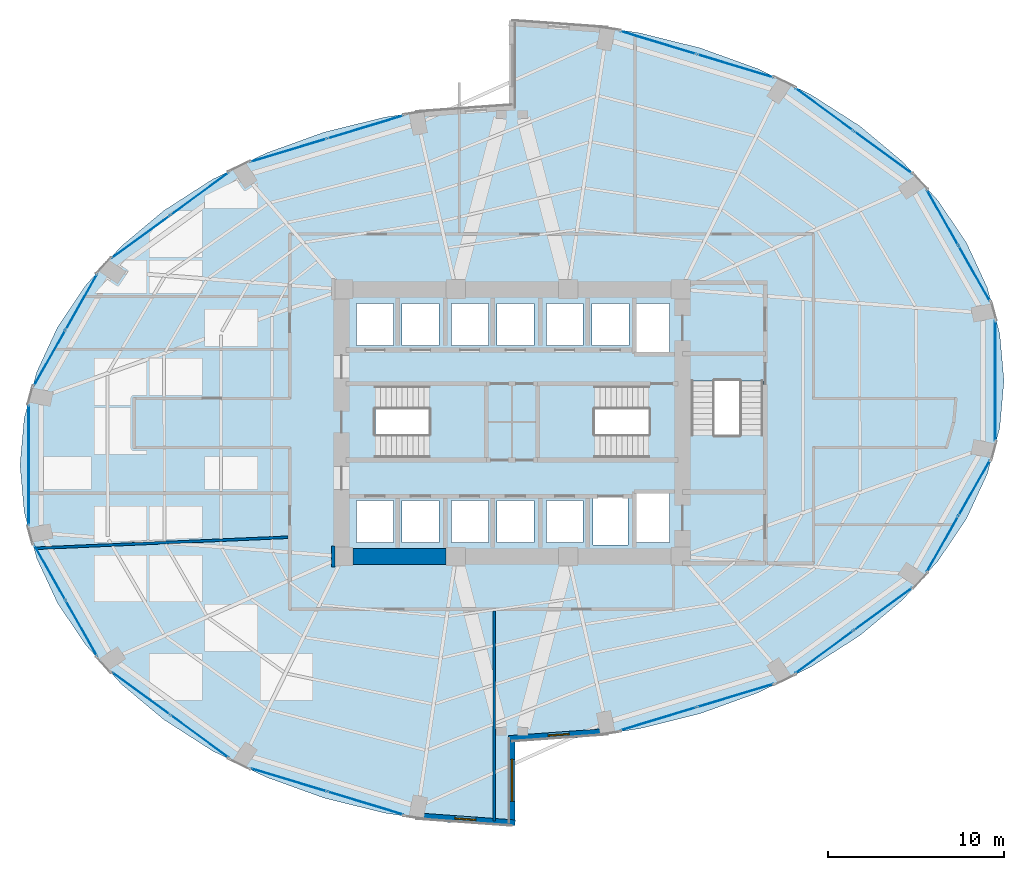
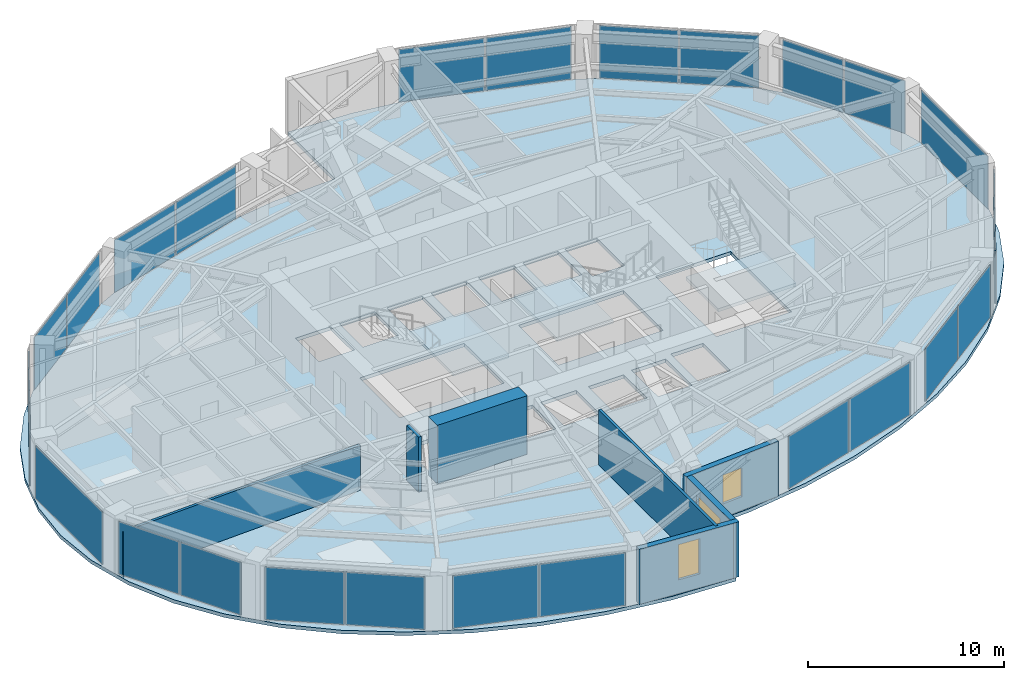
# One storey, part 19 of 24: 26 plates, 7 walls, 4 slabs, 3 windows, 3 openings, 17 elements without a shape of their own.
"""IFC4 building model written with IfcOpenShell, lengths in metres."""

from ifc_helpers import new_model, si_unit, direction, frame, frame_2d, origin, origin_2d, place, context, subcontext, project, spatial, polyline, rectangle, outline, extrude, material, layer, layer_set, type_object, element, fill, aggregate, save


model = new_model("IFC4")

# Units and contexts
model_context = context("Model", 3, precision=1e-05, world=origin(), true_north=direction((0.0, 1.0)))
body_context = subcontext(model_context, "Body", "Model", "MODEL_VIEW")
ifc_project = project(units=[si_unit("LENGTHUNIT", "METRE"), si_unit("AREAUNIT", "SQUARE_METRE"), si_unit("VOLUMEUNIT", "CUBIC_METRE"), si_unit("PLANEANGLEUNIT", "RADIAN"), si_unit("MASSUNIT", "GRAM", prefix="KILO")], contexts=[model_context])

# Site, building, storey
site_placement = place(None, origin())
site = spatial("IfcSite", under=ifc_project, at=site_placement, CompositionType="ELEMENT")
building_placement = place(site_placement, origin())
building = spatial("IfcBuilding", under=site, at=building_placement, Name="Lazwardi Medical Tower", CompositionType="ELEMENT")
storey_placement = place(building_placement, frame((0.0, 0.0, 39.7919921875)))
storey = spatial("IfcBuildingStorey", under=building, at=storey_placement, Name="L09", CompositionType="ELEMENT", Elevation=39.7919921875)

# Curtain wall, plates
ifc_material_1 = material(Name="Anodised bronze aluminium and solar control glazing", Category="aluminium")
ifc_layer_1 = layer(ifc_material_1, 0.199951171875)
ifc_layer_set_1 = layer_set([ifc_layer_1], Name="Anodised bronze aluminium and solar control glazing")
curtain_wall_type = type_object("IfcCurtainWallType", Name="CW-SYS-02", PredefinedType="NOTDEFINED", material=ifc_layer_set_1)
curtain_wall_1_placement = place(storey_placement, origin())
curtain_wall_1 = element("IfcCurtainWall", 1, at=curtain_wall_1_placement, inside=storey, type_object=curtain_wall_type, Name="L09 Unitised bronze curtain wall CW-02", PredefinedType="NOTDEFINED")
ifc_material_2 = material(Name="Low-e bronze solar control double glazing", Category="glass")
ifc_layer_2 = layer(ifc_material_2, 0.035888671875)
ifc_layer_set_2 = layer_set([ifc_layer_2], Name="Low-e bronze solar control double glazing")
plate_type = type_object("IfcPlateType", Name="PLT-GLZ-01", PredefinedType="CURTAIN_PANEL", material=ifc_layer_set_2)
plate_1_placement = place(storey_placement, frame((44.335693359375, 11.158935546875, 0.0751953125), z_axis=(0.0, 0.0, 1.0), x_axis=(0.957058247129, 0.2898956909, 0.0)))
plate_1 = element("IfcPlate", 2, at=plate_1_placement, type_object=plate_type, Name="CW-02 panel 1.1", PredefinedType="CURTAIN_PANEL", context=body_context, shape_type="SweptSolid", body=[
    extrude(rectangle(XDim=4.49658203125, YDim=0.035888671875, at=origin_2d()), origin(), (0.0, 0.0, 1.0), 3.278076171875),
])
plate_2_placement = place(storey_placement, frame((48.7109375, 12.484130859375, 0.0751953125), z_axis=(0.0, 0.0, 1.0), x_axis=(0.957058247129, 0.2898956909, 0.0)))
plate_2 = element("IfcPlate", 3, at=plate_2_placement, type_object=plate_type, Name="CW-02 panel 2.1", PredefinedType="CURTAIN_PANEL", context=body_context, shape_type="SweptSolid", body=[
    extrude(rectangle(XDim=4.49658203125, YDim=0.035888671875, at=origin_2d()), origin(), (0.0, 0.0, 1.0), 3.278076171875),
])
aggregate(curtain_wall_1, [plate_1, plate_2])

curtain_wall_2_placement = place(storey_placement, origin())
curtain_wall_2 = element("IfcCurtainWall", 4, at=curtain_wall_2_placement, inside=storey, type_object=curtain_wall_type, Name="L09 Unitised bronze curtain wall CW-02", PredefinedType="NOTDEFINED")
plate_3_placement = place(storey_placement, frame((53.771484375, 14.957275390625, 0.0751953125), z_axis=(0.0, 0.0, 1.0), x_axis=(0.807191757663, 0.590289307341, 0.0)))
plate_3 = element("IfcPlate", 5, at=plate_3_placement, type_object=plate_type, Name="CW-02 panel 1.1", PredefinedType="CURTAIN_PANEL", context=body_context, shape_type="SweptSolid", body=[
    extrude(rectangle(XDim=4.070068359375, YDim=0.035888671875, at=origin_2d()), origin(), (0.0, 0.0, 1.0), 3.278076171875),
])
plate_4_placement = place(storey_placement, frame((57.117431640625, 17.404052734375, 0.0751953125), z_axis=(0.0, 0.0, 1.0), x_axis=(0.807191757663, 0.590289307341, 0.0)))
plate_4 = element("IfcPlate", 6, at=plate_4_placement, type_object=plate_type, Name="CW-02 panel 2.1", PredefinedType="CURTAIN_PANEL", context=body_context, shape_type="SweptSolid", body=[
    extrude(rectangle(XDim=4.070068359375, YDim=0.035888671875, at=origin_2d()), origin(), (0.0, 0.0, 1.0), 3.278076171875),
])
aggregate(curtain_wall_2, [plate_3, plate_4])

curtain_wall_3_placement = place(storey_placement, origin())
curtain_wall_3 = element("IfcCurtainWall", 7, at=curtain_wall_3_placement, inside=storey, type_object=curtain_wall_type, Name="L09 Unitised bronze curtain wall CW-02", PredefinedType="NOTDEFINED")
plate_5_placement = place(storey_placement, frame((60.5009765625, 21.10791015625, 0.0751953125), z_axis=(0.0, 0.0, 1.0), x_axis=(0.492854327303, 0.870111838823, 0.0)))
plate_5 = element("IfcPlate", 8, at=plate_5_placement, type_object=plate_type, Name="CW-02 panel 1.1", PredefinedType="CURTAIN_PANEL", context=body_context, shape_type="SweptSolid", body=[
    extrude(rectangle(XDim=3.5947265625, YDim=0.035888671875, at=origin_2d()), origin(), (0.0, 0.0, 1.0), 3.278076171875),
])
plate_6_placement = place(storey_placement, frame((62.3095703125, 24.301025390625, 0.0751953125), z_axis=(0.0, 0.0, 1.0), x_axis=(0.492854327303, 0.870111838823, 0.0)))
plate_6 = element("IfcPlate", 9, at=plate_6_placement, type_object=plate_type, Name="CW-02 panel 2.1", PredefinedType="CURTAIN_PANEL", context=body_context, shape_type="SweptSolid", body=[
    extrude(rectangle(XDim=3.5947265625, YDim=0.035888671875, at=origin_2d()), origin(), (0.0, 0.0, 1.0), 3.278076171875),
])
aggregate(curtain_wall_3, [plate_5, plate_6])

# Curtain wall, plate
curtain_wall_4_placement = place(storey_placement, origin())
curtain_wall_4 = element("IfcCurtainWall", 10, at=curtain_wall_4_placement, inside=storey, type_object=curtain_wall_type, Name="L09 Unitised bronze curtain wall CW-02", PredefinedType="NOTDEFINED")
plate_7_placement = place(storey_placement, frame((63.49853515625, 30.39990234375, 0.0751953125), z_axis=(0.0, 0.0, 1.0), x_axis=(0.0, 1.0, 0.0)))
plate_7 = element("IfcPlate", 11, at=plate_7_placement, type_object=plate_type, Name="CW-02 panel 1.1", PredefinedType="CURTAIN_PANEL", context=body_context, shape_type="SweptSolid", body=[
    extrude(rectangle(XDim=6.8330078125, YDim=0.035888671875, at=origin_2d()), origin(), (0.0, 0.0, 1.0), 3.278076171875),
])
aggregate(curtain_wall_4, [plate_7])

# Curtain wall, plates
curtain_wall_5_placement = place(storey_placement, origin())
curtain_wall_5 = element("IfcCurtainWall", 12, at=curtain_wall_5_placement, inside=storey, type_object=curtain_wall_type, Name="L09 Unitised bronze curtain wall CW-02", PredefinedType="NOTDEFINED")
plate_8_placement = place(storey_placement, frame((62.3095703125, 36.498779296875, 0.0751953125), z_axis=(0.0, 0.0, 1.0), x_axis=(-0.492854327303, 0.870111838823, 0.0)))
plate_8 = element("IfcPlate", 13, at=plate_8_placement, type_object=plate_type, Name="CW-02 panel 1.1", PredefinedType="CURTAIN_PANEL", context=body_context, shape_type="SweptSolid", body=[
    extrude(rectangle(XDim=3.5947265625, YDim=0.035888671875, at=origin_2d()), origin(), (0.0, 0.0, 1.0), 3.278076171875),
])
plate_9_placement = place(storey_placement, frame((60.5009765625, 39.69189453125, 0.0751953125), z_axis=(0.0, 0.0, 1.0), x_axis=(-0.492854327303, 0.870111838823, 0.0)))
plate_9 = element("IfcPlate", 14, at=plate_9_placement, type_object=plate_type, Name="CW-02 panel 2.1", PredefinedType="CURTAIN_PANEL", context=body_context, shape_type="SweptSolid", body=[
    extrude(rectangle(XDim=3.5947265625, YDim=0.035888671875, at=origin_2d()), origin(), (0.0, 0.0, 1.0), 3.278076171875),
])
aggregate(curtain_wall_5, [plate_8, plate_9])

curtain_wall_6_placement = place(storey_placement, origin())
curtain_wall_6 = element("IfcCurtainWall", 15, at=curtain_wall_6_placement, inside=storey, type_object=curtain_wall_type, Name="L09 Unitised bronze curtain wall CW-02", PredefinedType="NOTDEFINED")
plate_10_placement = place(storey_placement, frame((57.117431640625, 43.39599609375, 0.0751953125), z_axis=(0.0, 0.0, 1.0), x_axis=(-0.807191757663, 0.590289307341, 0.0)))
plate_10 = element("IfcPlate", 16, at=plate_10_placement, type_object=plate_type, Name="CW-02 panel 1.1", PredefinedType="CURTAIN_PANEL", context=body_context, shape_type="SweptSolid", body=[
    extrude(rectangle(XDim=4.070068359375, YDim=0.035888671875, at=origin_2d()), origin(), (0.0, 0.0, 1.0), 3.278076171875),
])
plate_11_placement = place(storey_placement, frame((53.771484375, 45.8427734375, 0.0751953125), z_axis=(0.0, 0.0, 1.0), x_axis=(-0.807191757663, 0.590289307341, 0.0)))
plate_11 = element("IfcPlate", 17, at=plate_11_placement, type_object=plate_type, Name="CW-02 panel 2.1", PredefinedType="CURTAIN_PANEL", context=body_context, shape_type="SweptSolid", body=[
    extrude(rectangle(XDim=4.070068359375, YDim=0.035888671875, at=origin_2d()), origin(), (0.0, 0.0, 1.0), 3.278076171875),
])
aggregate(curtain_wall_6, [plate_10, plate_11])

curtain_wall_7_placement = place(storey_placement, origin())
curtain_wall_7 = element("IfcCurtainWall", 18, at=curtain_wall_7_placement, inside=storey, type_object=curtain_wall_type, Name="L09 Unitised bronze curtain wall CW-02", PredefinedType="NOTDEFINED")
plate_12_placement = place(storey_placement, frame((48.7109375, 48.31591796875, 0.0751953125), z_axis=(0.0, 0.0, 1.0), x_axis=(-0.957058247129, 0.2898956909, 0.0)))
plate_12 = element("IfcPlate", 19, at=plate_12_placement, type_object=plate_type, Name="CW-02 panel 1.1", PredefinedType="CURTAIN_PANEL", context=body_context, shape_type="SweptSolid", body=[
    extrude(rectangle(XDim=4.49658203125, YDim=0.035888671875, at=origin_2d()), origin(), (0.0, 0.0, 1.0), 3.278076171875),
])
plate_13_placement = place(storey_placement, frame((44.335693359375, 49.64111328125, 0.0751953125), z_axis=(0.0, 0.0, 1.0), x_axis=(-0.957058247129, 0.2898956909, 0.0)))
plate_13 = element("IfcPlate", 20, at=plate_13_placement, type_object=plate_type, Name="CW-02 panel 2.1", PredefinedType="CURTAIN_PANEL", context=body_context, shape_type="SweptSolid", body=[
    extrude(rectangle(XDim=4.49658203125, YDim=0.035888671875, at=origin_2d()), origin(), (0.0, 0.0, 1.0), 3.278076171875),
])
aggregate(curtain_wall_7, [plate_12, plate_13])

curtain_wall_8_placement = place(storey_placement, origin())
curtain_wall_8 = element("IfcCurtainWall", 21, at=curtain_wall_8_placement, inside=storey, type_object=curtain_wall_type, Name="L09 Unitised bronze curtain wall CW-02", PredefinedType="NOTDEFINED")
plate_14_placement = place(storey_placement, frame((27.664306640625, 44.841064453125, 0.0751953125), z_axis=(0.0, 0.0, 1.0), x_axis=(-0.957058247129, -0.2898956909, 0.0)))
plate_14 = element("IfcPlate", 22, at=plate_14_placement, type_object=plate_type, Name="CW-02 panel 1.1", PredefinedType="CURTAIN_PANEL", context=body_context, shape_type="SweptSolid", body=[
    extrude(rectangle(XDim=4.49658203125, YDim=0.035888671875, at=origin_2d()), origin(), (0.0, 0.0, 1.0), 3.278076171875),
])
plate_15_placement = place(storey_placement, frame((23.2890625, 43.515869140625, 0.0751953125), z_axis=(0.0, 0.0, 1.0), x_axis=(-0.957058247129, -0.2898956909, 0.0)))
plate_15 = element("IfcPlate", 23, at=plate_15_placement, type_object=plate_type, Name="CW-02 panel 2.1", PredefinedType="CURTAIN_PANEL", context=body_context, shape_type="SweptSolid", body=[
    extrude(rectangle(XDim=4.49658203125, YDim=0.035888671875, at=origin_2d()), origin(), (0.0, 0.0, 1.0), 3.278076171875),
])
aggregate(curtain_wall_8, [plate_14, plate_15])

curtain_wall_9_placement = place(storey_placement, origin())
curtain_wall_9 = element("IfcCurtainWall", 24, at=curtain_wall_9_placement, inside=storey, type_object=curtain_wall_type, Name="L09 Unitised bronze curtain wall CW-02", PredefinedType="NOTDEFINED")
plate_16_placement = place(storey_placement, frame((18.228515625, 41.042724609375, 0.0751953125), z_axis=(0.0, 0.0, 1.0), x_axis=(-0.807191757663, -0.590289307341, 0.0)))
plate_16 = element("IfcPlate", 25, at=plate_16_placement, type_object=plate_type, Name="CW-02 panel 1.1", PredefinedType="CURTAIN_PANEL", context=body_context, shape_type="SweptSolid", body=[
    extrude(rectangle(XDim=4.070068359375, YDim=0.035888671875, at=origin_2d()), origin(), (0.0, 0.0, 1.0), 3.278076171875),
])
plate_17_placement = place(storey_placement, frame((14.882568359375, 38.595947265625, 0.0751953125), z_axis=(0.0, 0.0, 1.0), x_axis=(-0.807191757663, -0.590289307341, 0.0)))
plate_17 = element("IfcPlate", 26, at=plate_17_placement, type_object=plate_type, Name="CW-02 panel 2.1", PredefinedType="CURTAIN_PANEL", context=body_context, shape_type="SweptSolid", body=[
    extrude(rectangle(XDim=4.070068359375, YDim=0.035888671875, at=origin_2d()), origin(), (0.0, 0.0, 1.0), 3.278076171875),
])
aggregate(curtain_wall_9, [plate_16, plate_17])

curtain_wall_10_placement = place(storey_placement, origin())
curtain_wall_10 = element("IfcCurtainWall", 27, at=curtain_wall_10_placement, inside=storey, type_object=curtain_wall_type, Name="L09 Unitised bronze curtain wall CW-02", PredefinedType="NOTDEFINED")
plate_18_placement = place(storey_placement, frame((11.4990234375, 34.89208984375, 0.0751953125), z_axis=(0.0, 0.0, 1.0), x_axis=(-0.492854327303, -0.870111838823, 0.0)))
plate_18 = element("IfcPlate", 28, at=plate_18_placement, type_object=plate_type, Name="CW-02 panel 1.1", PredefinedType="CURTAIN_PANEL", context=body_context, shape_type="SweptSolid", body=[
    extrude(rectangle(XDim=3.5947265625, YDim=0.035888671875, at=origin_2d()), origin(), (0.0, 0.0, 1.0), 3.278076171875),
])
plate_19_placement = place(storey_placement, frame((9.6904296875, 31.698974609375, 0.0751953125), z_axis=(0.0, 0.0, 1.0), x_axis=(-0.492854327303, -0.870111838823, 0.0)))
plate_19 = element("IfcPlate", 29, at=plate_19_placement, type_object=plate_type, Name="CW-02 panel 2.1", PredefinedType="CURTAIN_PANEL", context=body_context, shape_type="SweptSolid", body=[
    extrude(rectangle(XDim=3.5947265625, YDim=0.035888671875, at=origin_2d()), origin(), (0.0, 0.0, 1.0), 3.278076171875),
])
aggregate(curtain_wall_10, [plate_18, plate_19])

# Curtain wall, plate
curtain_wall_11_placement = place(storey_placement, origin())
curtain_wall_11 = element("IfcCurtainWall", 30, at=curtain_wall_11_placement, inside=storey, type_object=curtain_wall_type, Name="L09 Unitised bronze curtain wall CW-02", PredefinedType="NOTDEFINED")
plate_20_placement = place(storey_placement, frame((8.50146484375, 25.60009765625, 0.0751953125), z_axis=(0.0, 0.0, 1.0), x_axis=(0.0, -1.0, 0.0)))
plate_20 = element("IfcPlate", 31, at=plate_20_placement, type_object=plate_type, Name="CW-02 panel 1.1", PredefinedType="CURTAIN_PANEL", context=body_context, shape_type="SweptSolid", body=[
    extrude(rectangle(XDim=6.8330078125, YDim=0.035888671875, at=origin_2d()), origin(), (0.0, 0.0, 1.0), 3.278076171875),
])
aggregate(curtain_wall_11, [plate_20])

# Curtain wall, plates
curtain_wall_12_placement = place(storey_placement, origin())
curtain_wall_12 = element("IfcCurtainWall", 32, at=curtain_wall_12_placement, inside=storey, type_object=curtain_wall_type, Name="L09 Unitised bronze curtain wall CW-02", PredefinedType="NOTDEFINED")
plate_21_placement = place(storey_placement, frame((9.6904296875, 19.501220703125, 0.0751953125), z_axis=(0.0, 0.0, 1.0), x_axis=(0.492854327303, -0.870111838823, 0.0)))
plate_21 = element("IfcPlate", 33, at=plate_21_placement, type_object=plate_type, Name="CW-02 panel 1.1", PredefinedType="CURTAIN_PANEL", context=body_context, shape_type="SweptSolid", body=[
    extrude(rectangle(XDim=3.5947265625, YDim=0.035888671875, at=origin_2d()), origin(), (0.0, 0.0, 1.0), 3.278076171875),
])
plate_22_placement = place(storey_placement, frame((11.4990234375, 16.30810546875, 0.0751953125), z_axis=(0.0, 0.0, 1.0), x_axis=(0.492854327303, -0.870111838823, 0.0)))
plate_22 = element("IfcPlate", 34, at=plate_22_placement, type_object=plate_type, Name="CW-02 panel 2.1", PredefinedType="CURTAIN_PANEL", context=body_context, shape_type="SweptSolid", body=[
    extrude(rectangle(XDim=3.5947265625, YDim=0.035888671875, at=origin_2d()), origin(), (0.0, 0.0, 1.0), 3.278076171875),
])
aggregate(curtain_wall_12, [plate_21, plate_22])

curtain_wall_13_placement = place(storey_placement, origin())
curtain_wall_13 = element("IfcCurtainWall", 35, at=curtain_wall_13_placement, inside=storey, type_object=curtain_wall_type, Name="L09 Unitised bronze curtain wall CW-02", PredefinedType="NOTDEFINED")
plate_23_placement = place(storey_placement, frame((14.882568359375, 12.60400390625, 0.0751953125), z_axis=(0.0, 0.0, 1.0), x_axis=(0.807191757663, -0.590289307341, 0.0)))
plate_23 = element("IfcPlate", 36, at=plate_23_placement, type_object=plate_type, Name="CW-02 panel 1.1", PredefinedType="CURTAIN_PANEL", context=body_context, shape_type="SweptSolid", body=[
    extrude(rectangle(XDim=4.070068359375, YDim=0.035888671875, at=origin_2d()), origin(), (0.0, 0.0, 1.0), 3.278076171875),
])
plate_24_placement = place(storey_placement, frame((18.228515625, 10.1572265625, 0.0751953125), z_axis=(0.0, 0.0, 1.0), x_axis=(0.807191757663, -0.590289307341, 0.0)))
plate_24 = element("IfcPlate", 37, at=plate_24_placement, type_object=plate_type, Name="CW-02 panel 2.1", PredefinedType="CURTAIN_PANEL", context=body_context, shape_type="SweptSolid", body=[
    extrude(rectangle(XDim=4.070068359375, YDim=0.035888671875, at=origin_2d()), origin(), (0.0, 0.0, 1.0), 3.278076171875),
])
aggregate(curtain_wall_13, [plate_23, plate_24])

curtain_wall_14_placement = place(storey_placement, origin())
curtain_wall_14 = element("IfcCurtainWall", 38, at=curtain_wall_14_placement, inside=storey, type_object=curtain_wall_type, Name="L09 Unitised bronze curtain wall CW-02", PredefinedType="NOTDEFINED")
plate_25_placement = place(storey_placement, frame((23.2890625, 7.68408203125, 0.0751953125), z_axis=(0.0, 0.0, 1.0), x_axis=(0.957058247129, -0.2898956909, 0.0)))
plate_25 = element("IfcPlate", 39, at=plate_25_placement, type_object=plate_type, Name="CW-02 panel 1.1", PredefinedType="CURTAIN_PANEL", context=body_context, shape_type="SweptSolid", body=[
    extrude(rectangle(XDim=4.49658203125, YDim=0.035888671875, at=origin_2d()), origin(), (0.0, 0.0, 1.0), 3.278076171875),
])
plate_26_placement = place(storey_placement, frame((27.664306640625, 6.35888671875, 0.0751953125), z_axis=(0.0, 0.0, 1.0), x_axis=(0.957058247129, -0.2898956909, 0.0)))
plate_26 = element("IfcPlate", 40, at=plate_26_placement, type_object=plate_type, Name="CW-02 panel 2.1", PredefinedType="CURTAIN_PANEL", context=body_context, shape_type="SweptSolid", body=[
    extrude(rectangle(XDim=4.49658203125, YDim=0.035888671875, at=origin_2d()), origin(), (0.0, 0.0, 1.0), 3.278076171875),
])
aggregate(curtain_wall_14, [plate_25, plate_26])

# Stair, slab
ifc_material_3 = material(Name="Concrete C45/55", Category="concrete")
stair_type = type_object("IfcStairType", Name="STR-WRD", PredefinedType="HALF_TURN_STAIR", material=ifc_material_3)
stair_1_placement = place(storey_placement, origin())
stair_1 = element("IfcStair", 41, at=stair_1_placement, inside=storey, type_object=stair_type, Name="L09 Protected Exit Stair ST1", PredefinedType="HALF_TURN_STAIR")
ifc_layer_3 = layer(ifc_material_3, 0.199951171875)
ifc_layer_set_3 = layer_set([ifc_layer_3], Name="Concrete C45/55")
slab_type_1 = type_object("IfcSlabType", Name="SLB-LND-190", PredefinedType="LANDING", material=ifc_layer_set_3)
slab_1_placement = place(storey_placement, frame((0.0, 0.0, 1.6240234375)))
slab_1 = element("IfcSlab", 42, at=slab_1_placement, type_object=slab_type_1, Name="ST1 landing 1", PredefinedType="LANDING", context=body_context, shape_type="SweptSolid", body=[
    extrude(outline(polyline([(31.27490234375, 25.840087890625), (34.580078125, 25.840087890625), (34.580078125, 30.280029296875), (31.27490234375, 30.280029296875), (31.27490234375, 25.840087890625)])), origin(), (0.0, 0.0, 1.0), 0.199951171875),
])
aggregate(stair_1, [slab_1])

stair_2_placement = place(storey_placement, origin())
stair_2 = element("IfcStair", 43, at=stair_2_placement, inside=storey, type_object=stair_type, Name="L09 Protected Exit Stair ST2", PredefinedType="HALF_TURN_STAIR")
slab_2_placement = place(storey_placement, frame((0.0, 0.0, 1.6240234375)))
slab_2 = element("IfcSlab", 44, at=slab_2_placement, type_object=slab_type_1, Name="ST2 landing 1", PredefinedType="LANDING", context=body_context, shape_type="SweptSolid", body=[
    extrude(outline(polyline([(40.72509765625, 30.280029296875), (37.419921875, 30.280029296875), (37.419921875, 25.840087890625), (40.72509765625, 25.840087890625), (40.72509765625, 30.280029296875)])), origin(), (0.0, 0.0, 1.0), 0.199951171875),
])
aggregate(stair_2, [slab_2])

stair_3_placement = place(storey_placement, origin())
stair_3 = element("IfcStair", 45, at=stair_3_placement, inside=storey, type_object=stair_type, Name="L09 Protected Exit Stair ST3", PredefinedType="HALF_TURN_STAIR")
slab_3_placement = place(storey_placement, frame((0.0, 0.0, 1.6240234375)))
slab_3 = element("IfcSlab", 46, at=slab_3_placement, type_object=slab_type_1, Name="ST3 landing 1", PredefinedType="LANDING", context=body_context, shape_type="SweptSolid", body=[
    extrude(outline(polyline([(45.860107421875, 27.324951171875), (45.860107421875, 24.02001953125), (50.4599609375, 24.02001953125), (50.4599609375, 27.324951171875), (45.860107421875, 27.324951171875)])), origin(), (0.0, 0.0, 1.0), 0.199951171875),
])
aggregate(stair_3, [slab_3])

# Slab
ifc_material_4 = material(Name="Concrete C50/60", Category="concrete")
ifc_layer_4 = layer(ifc_material_4, 0.219970703125)
ifc_layer_set_4 = layer_set([ifc_layer_4], Name="Concrete C50/60")
slab_type_2 = type_object("IfcSlabType", Name="SLB-WRD-220", PredefinedType="FLOOR", material=ifc_layer_set_4)
slab_4_placement = place(storey_placement, frame((0.0, 0.0, -0.219970703125)))
element("IfcSlab", 47, at=slab_4_placement, inside=storey, type_object=slab_type_2, Name="Structural floor slab SF-03 L09", PredefinedType="FLOOR", context=body_context, shape_type="SweptSolid", body=[
    extrude(outline(polyline([(10.13134765625, 33.445068359375), (8.9541015625, 30.90576171875), (8.239501953125, 28.27587890625), (8.0, 25.60009765625), (8.239501953125, 22.92431640625), (8.9541015625, 20.294189453125), (10.13134765625, 17.7548828125), (11.751220703125, 15.35009765625), (13.7861328125, 13.120361328125), (16.200927734375, 11.104248046875), (18.95458984375, 9.336181640625), (22.0, 7.846435546875), (25.284912109375, 6.660400390625), (28.753173828125, 5.798583984375), (32.34521484375, 5.275390625), (36.0, 5.10009765625), (36.0, 9.89990234375), (39.65478515625, 10.075439453125), (43.246826171875, 10.598388671875), (46.715087890625, 11.46044921875), (50.0, 12.646484375), (53.04541015625, 14.13623046875), (55.799072265625, 15.904296875), (58.2138671875, 17.92041015625), (60.248779296875, 20.14990234375), (61.86865234375, 22.554931640625), (63.0458984375, 25.09423828125), (63.760498046875, 27.72412109375), (64.0, 30.39990234375), (63.760498046875, 33.07568359375), (63.0458984375, 35.705810546875), (61.86865234375, 38.2451171875), (60.248779296875, 40.64990234375), (58.2138671875, 42.879638671875), (55.799072265625, 44.895751953125), (53.04541015625, 46.663818359375), (50.0, 48.153564453125), (46.715087890625, 49.339599609375), (43.246826171875, 50.201416015625), (39.65478515625, 50.724609375), (36.0, 50.89990234375), (36.0, 46.10009765625), (32.34521484375, 45.924560546875), (28.753173828125, 45.401611328125), (25.284912109375, 44.53955078125), (22.0, 43.353515625), (18.95458984375, 41.86376953125), (16.200927734375, 40.095703125), (13.7861328125, 38.07958984375), (11.751220703125, 35.85009765625), (10.13134765625, 33.445068359375)]), holes=[polyline([(28.22509765625, 26.02001953125), (28.22509765625, 30.10009765625), (34.39990234375, 30.10009765625), (34.39990234375, 26.02001953125), (28.22509765625, 26.02001953125)]), polyline([(37.60009765625, 30.10009765625), (43.77490234375, 30.10009765625), (43.77490234375, 26.02001953125), (37.60009765625, 26.02001953125), (37.60009765625, 30.10009765625)]), polyline([(50.280029296875, 30.375), (50.280029296875, 24.179931640625), (45.840087890625, 24.179931640625), (45.840087890625, 30.375), (50.280029296875, 30.375)]), polyline([(29.25, 32.39990234375), (27.14990234375, 32.39990234375), (27.14990234375, 34.800048828125), (29.25, 34.800048828125), (29.25, 32.39990234375)]), polyline([(29.75, 32.39990234375), (29.75, 34.800048828125), (31.85009765625, 34.800048828125), (31.85009765625, 32.39990234375), (29.75, 32.39990234375)]), polyline([(27.14990234375, 23.60009765625), (29.25, 23.60009765625), (29.25, 21.199951171875), (27.14990234375, 21.199951171875), (27.14990234375, 23.60009765625)]), polyline([(31.85009765625, 23.60009765625), (31.85009765625, 21.199951171875), (29.75, 21.199951171875), (29.75, 23.60009765625), (31.85009765625, 23.60009765625)]), polyline([(34.64990234375, 32.39990234375), (32.550048828125, 32.39990234375), (32.550048828125, 34.800048828125), (34.64990234375, 34.800048828125), (34.64990234375, 32.39990234375)]), polyline([(35.14990234375, 32.39990234375), (35.14990234375, 34.800048828125), (37.25, 34.800048828125), (37.25, 32.39990234375), (35.14990234375, 32.39990234375)]), polyline([(32.550048828125, 23.60009765625), (34.64990234375, 23.60009765625), (34.64990234375, 21.199951171875), (32.550048828125, 21.199951171875), (32.550048828125, 23.60009765625)]), polyline([(37.25, 23.60009765625), (37.25, 21.199951171875), (35.14990234375, 21.199951171875), (35.14990234375, 23.60009765625), (37.25, 23.60009765625)]), polyline([(40.050048828125, 32.39990234375), (37.949951171875, 32.39990234375), (37.949951171875, 34.800048828125), (40.050048828125, 34.800048828125), (40.050048828125, 32.39990234375)]), polyline([(40.550048828125, 32.39990234375), (40.550048828125, 34.800048828125), (42.64990234375, 34.800048828125), (42.64990234375, 32.39990234375), (40.550048828125, 32.39990234375)]), polyline([(37.949951171875, 23.60009765625), (40.050048828125, 23.60009765625), (40.050048828125, 21.199951171875), (37.949951171875, 21.199951171875), (37.949951171875, 23.60009765625)]), polyline([(44.949951171875, 34.800048828125), (44.949951171875, 32.0), (43.050048828125, 32.0), (43.050048828125, 34.800048828125), (44.949951171875, 34.800048828125)]), polyline([(44.949951171875, 21.199951171875), (43.050048828125, 21.199951171875), (43.050048828125, 24.0), (44.949951171875, 24.0), (44.949951171875, 21.199951171875)]), polyline([(40.60009765625, 21.050048828125), (40.60009765625, 23.75), (42.60009765625, 23.75), (42.60009765625, 21.050048828125), (40.60009765625, 21.050048828125)])]), origin(), (0.0, 0.0, 1.0), 0.219970703125),
])

# Walls
ifc_material_5 = material(Name="Fire-rated gypsum board on steel stud", Category="steel")
ifc_layer_5 = layer(ifc_material_5, 0.179931640625)
ifc_layer_set_5 = layer_set([ifc_layer_5], Name="Fire-rated gypsum board on steel stud")
wall_type_1 = type_object("IfcWallType", Name="WL-COR-180", PredefinedType="PARTITIONING", material=ifc_layer_set_5)
wall_1_placement = place(storey_placement, frame((25.830078125, 21.010009765625, 0.0), z_axis=(0.0, 0.0, 1.0), x_axis=(0.0, -1.0, 0.0)))
element("IfcWall", 48, at=wall_1_placement, inside=storey, type_object=wall_type_1, Name="L09 Corridor partition 13", PredefinedType="PARTITIONING", context=body_context, shape_type="SweptSolid", body=[
    extrude(rectangle(XDim=1.219970703125, YDim=0.179931640625, at=frame_2d((0.60986328125, 0.0))), origin(), (0.0, 0.0, 1.0), 3.427978515625),
])
ifc_material_6 = material(Name="Concrete C80/95", Category="concrete")
ifc_layer_6 = layer(ifc_material_6, 0.89990234375)
ifc_layer_set_6 = layer_set([ifc_layer_6], Name="Concrete C80/95")
wall_type_2 = type_object("IfcWallType", Name="WL-CORE-900", PredefinedType="SHEAR", material=ifc_layer_set_6)
wall_2_placement = place(storey_placement, frame((26.949951171875, 20.39990234375, 0.0), z_axis=(0.0, 0.0, 1.0), x_axis=(1.0, 0.0, 0.0)))
element("IfcWall", 49, at=wall_2_placement, inside=storey, type_object=wall_type_2, Name="Core wall CW-S1 S1 L09", PredefinedType="SHEAR", context=body_context, shape_type="SweptSolid", body=[
    extrude(rectangle(XDim=5.300048828125, YDim=0.89990234375, at=frame_2d((2.64990234375, 0.0))), origin(), (0.0, 0.0, 1.0), 3.64794921875),
])

# Wall, opening, window
ifc_material_7 = material(Name="Precast concrete C45/55", Category="concrete")
ifc_layer_7 = layer(ifc_material_7, 0.320068359375)
ifc_layer_set_7 = layer_set([ifc_layer_7], Name="Precast concrete C45/55")
wall_type_3 = type_object("IfcWallType", Name="WL-IWAN-320", PredefinedType="SOLIDWALL", material=ifc_layer_set_7)
wall_3_placement = place(storey_placement, frame((35.820556640625, 10.047119140625, 0.0), z_axis=(0.0, 0.0, 1.0), x_axis=(0.997422321809, 0.071754525696, 0.0)))
wall_3 = element("IfcWall", 50, at=wall_3_placement, inside=storey, type_object=wall_type_3, Name="L09 Iwan Portal Return Wall SE_ret", PredefinedType="SOLIDWALL", context=body_context, shape_type="SweptSolid", body=[
    extrude(rectangle(XDim=5.67529296875, YDim=0.320068359375, at=frame_2d((2.837646484375, 0.0))), origin(), (0.0, 0.0, 1.0), 3.427978515625),
])
opening_1_placement = place(wall_3_placement, frame((2.23779296875, 0.0, 0.85009765625)))
opening_1 = element("IfcOpeningElement", 51, at=opening_1_placement, cuts=wall_3, Name="Opening WN-04", PredefinedType="OPENING", context=body_context, shape_type="SweptSolid", body=[
    extrude(rectangle(XDim=1.199951171875, YDim=1.800048828125, at=frame_2d((0.60009765625, 0.89990234375))), frame((0.0, 0.169921875, 0.0), z_axis=(0.0, -1.0, 0.0), x_axis=(1.0, 0.0, 0.0)), (0.0, 0.0, 1.0), 0.340087890625),
])
window_type_1 = type_object("IfcWindowType", Name="WIN-DRUM-1200", PartitioningType="SINGLE_PANEL", PredefinedType="WINDOW", material=ifc_material_2)
window_1_placement = place(opening_1_placement, origin())
window_1 = element("IfcWindow", 52, at=window_1_placement, inside=storey, type_object=window_type_1, Name="L09 Iwan Slot Window SE_ret", OverallHeight=1.800048828125, OverallWidth=1.199951171875, PartitioningType="SINGLE_PANEL", PredefinedType="WINDOW", context=body_context, shape_type="SweptSolid", body=[
    extrude(rectangle(XDim=1.199951171875, YDim=1.800048828125, at=frame_2d((0.60009765625, 0.89990234375))), frame((0.0, 0.030029296875, 0.0), z_axis=(0.0, -1.0, 0.0), x_axis=(1.0, 0.0, 0.0)), (0.0, 0.0, 1.0), 0.06005859375),
])
fill(opening_1, window_1)

wall_4_placement = place(storey_placement, frame((30.518798828125, 5.654296875, 0.0), z_axis=(0.0, 0.0, 1.0), x_axis=(0.997421878774, -0.071760683825, 0.0)))
wall_4 = element("IfcWall", 53, at=wall_4_placement, inside=storey, type_object=wall_type_3, Name="L09 Iwan Portal Return Wall SW_ret", PredefinedType="SOLIDWALL", context=body_context, shape_type="SweptSolid", body=[
    extrude(rectangle(XDim=5.6748046875, YDim=0.320068359375, at=frame_2d((2.83740234375, 0.0))), origin(), (0.0, 0.0, 1.0), 3.427978515625),
])
opening_2_placement = place(wall_4_placement, frame((2.2373046875, 0.0, 0.85009765625)))
opening_2 = element("IfcOpeningElement", 54, at=opening_2_placement, cuts=wall_4, Name="Opening WN-01", PredefinedType="OPENING", context=body_context, shape_type="SweptSolid", body=[
    extrude(rectangle(XDim=1.199951171875, YDim=2.199951171875, at=frame_2d((0.60009765625, 1.10009765625))), frame((0.0, 0.169921875, 0.0), z_axis=(0.0, -1.0, 0.0), x_axis=(1.0, 0.0, 0.0)), (0.0, 0.0, 1.0), 0.340087890625),
])
window_type_2 = type_object("IfcWindowType", Name="WIN-IW-1200", PartitioningType="SINGLE_PANEL", PredefinedType="WINDOW", material=ifc_material_2)
window_2_placement = place(opening_2_placement, origin())
window_2 = element("IfcWindow", 55, at=window_2_placement, inside=storey, type_object=window_type_2, Name="L09 Iwan Slot Window SW_ret", OverallHeight=2.199951171875, OverallWidth=1.199951171875, PartitioningType="SINGLE_PANEL", PredefinedType="WINDOW", context=body_context, shape_type="SweptSolid", body=[
    extrude(rectangle(XDim=1.199951171875, YDim=2.199951171875, at=frame_2d((0.60009765625, 1.10009765625))), frame((0.0, 0.030029296875, 0.0), z_axis=(0.0, -1.0, 0.0), x_axis=(1.0, 0.0, 0.0)), (0.0, 0.0, 1.0), 0.06005859375),
])
fill(opening_2, window_2)

wall_5_placement = place(storey_placement, frame((36.0, 5.10009765625, 0.0), z_axis=(0.0, 0.0, 1.0), x_axis=(0.0, 1.0, 0.0)))
wall_5 = element("IfcWall", 56, at=wall_5_placement, inside=storey, type_object=wall_type_3, Name="L09 Turquoise Tilework Iwan Seam Wall S_seam", PredefinedType="SOLIDWALL", context=body_context, shape_type="SweptSolid", body=[
    extrude(rectangle(XDim=5.119873046875, YDim=0.320068359375, at=frame_2d((2.56005859375, 0.0))), origin(), (0.0, 0.0, 1.0), 3.427978515625),
])
opening_3_placement = place(wall_5_placement, frame((1.360107421875, 0.0, 0.840087890625)))
opening_3 = element("IfcOpeningElement", 57, at=opening_3_placement, cuts=wall_5, Name="Opening WN-02", PredefinedType="OPENING", context=body_context, shape_type="SweptSolid", body=[
    extrude(rectangle(XDim=2.39990234375, YDim=2.0400390625, at=frame_2d((1.199951171875, 1.02001953125))), frame((0.0, 0.169921875, 0.0), z_axis=(0.0, -1.0, 0.0), x_axis=(1.0, 0.0, 0.0)), (0.0, 0.0, 1.0), 0.340087890625),
])
window_type_3 = type_object("IfcWindowType", Name="WIN-IW-2400", PartitioningType="SINGLE_PANEL", PredefinedType="WINDOW", material=ifc_material_2)
window_3_placement = place(opening_3_placement, origin())
window_3 = element("IfcWindow", 58, at=window_3_placement, inside=storey, type_object=window_type_3, Name="L09 Iwan Seam Window S_seam", OverallHeight=2.0400390625, OverallWidth=2.39990234375, PartitioningType="SINGLE_PANEL", PredefinedType="WINDOW", context=body_context, shape_type="SweptSolid", body=[
    extrude(rectangle(XDim=2.39990234375, YDim=2.0400390625, at=frame_2d((1.199951171875, 1.02001953125))), frame((0.0, 0.030029296875, 0.0), z_axis=(0.0, -1.0, 0.0), x_axis=(1.0, 0.0, 0.0)), (0.0, 0.0, 1.0), 0.06005859375),
])
fill(opening_3, window_3)

# Walls
ifc_material_8 = material(Name="Acoustic gypsum board partition")
ifc_layer_8 = layer(ifc_material_8, 0.14990234375)
ifc_layer_set_8 = layer_set([ifc_layer_8], Name="Acoustic gypsum board partition")
wall_type_4 = type_object("IfcWallType", Name="WL-WRD-150", PredefinedType="PARTITIONING", material=ifc_layer_set_8)
wall_6_placement = place(storey_placement, frame((8.90478515625, 20.868408203125, 0.0), z_axis=(0.0, 0.0, 1.0), x_axis=(0.999043936959, 0.043717411007, 0.0)))
element("IfcWall", 59, at=wall_6_placement, inside=storey, type_object=wall_type_4, Name="L09 Room partition 1", PredefinedType="PARTITIONING", context=body_context, shape_type="SweptSolid", body=[
    extrude(rectangle(XDim=14.368896484375, YDim=0.14990234375, at=frame_2d((7.1845703125, 0.0))), origin(), (0.0, 0.0, 1.0), 2.81298828125),
])
wall_7_placement = place(storey_placement, frame((35.0, 5.355712890625, 0.0), z_axis=(0.0, 0.0, 1.0), x_axis=(0.0, 1.0, 0.0)))
element("IfcWall", 60, at=wall_7_placement, inside=storey, type_object=wall_type_4, Name="L09 Room partition 8", PredefinedType="PARTITIONING", context=body_context, shape_type="SweptSolid", body=[
    extrude(rectangle(XDim=11.954345703125, YDim=0.14990234375, at=frame_2d((5.97705078125, 0.0))), origin(), (0.0, 0.0, 1.0), 3.427978515625),
])

save(model, "model.ifc")
